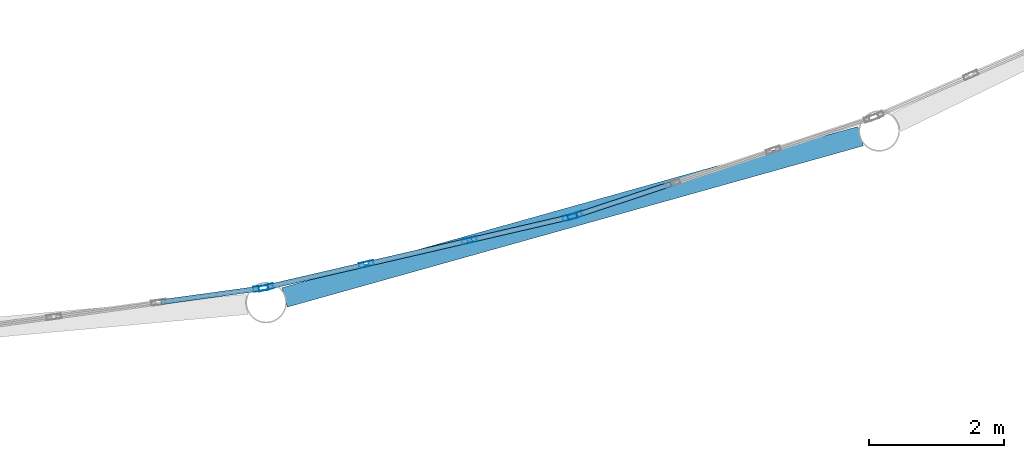
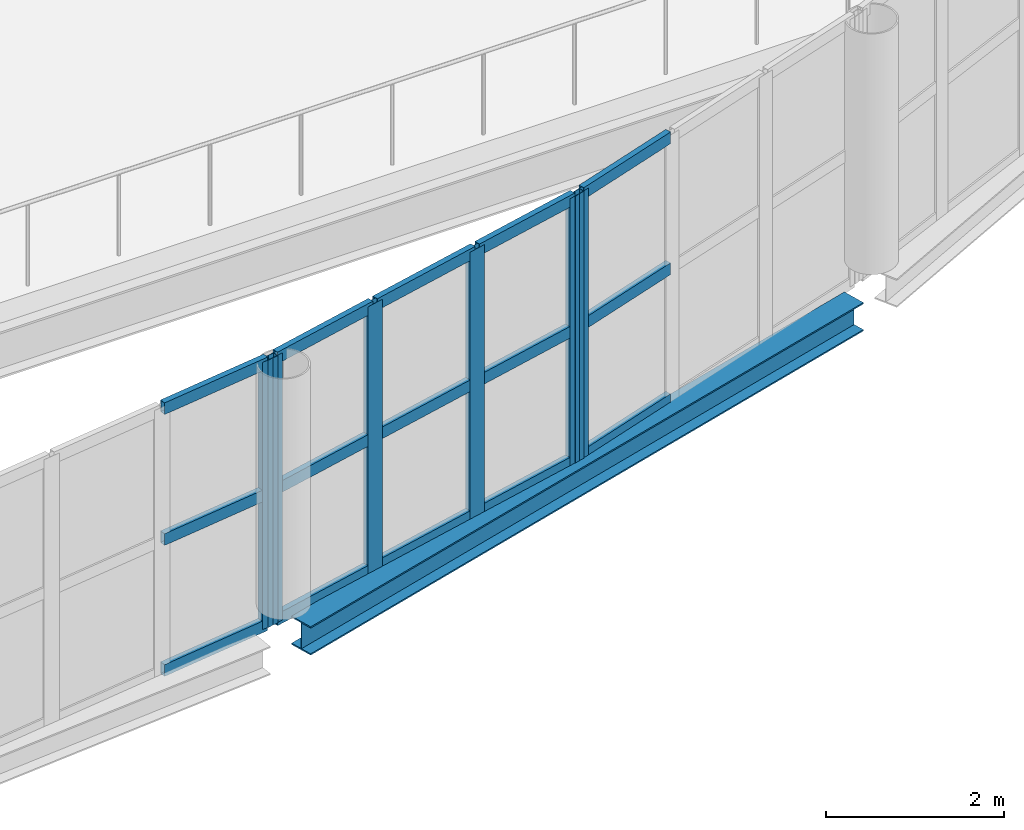
# One storey, part 31 of 134: 21 members, 1 beam, 3 elements without a shape of their own.
"""IFC4 building model written with IfcOpenShell, lengths in metres."""

from ifc_helpers import new_model, si_unit, direction, frame, origin, origin_2d, place, context, subcontext, project, spatial, hollow_rectangle, i_section, extrude, material, layer, layer_set, material_profile, profile_set, type_object, element, aggregate, save


model = new_model("IFC4")

# Units and contexts
model_context = context("Model", 3, precision=1e-05, world=origin(), true_north=direction((0.0, 1.0)))
body_context = subcontext(model_context, "Body", "Model", "MODEL_VIEW")
ifc_project = project(units=[si_unit("LENGTHUNIT", "METRE"), si_unit("AREAUNIT", "SQUARE_METRE"), si_unit("VOLUMEUNIT", "CUBIC_METRE"), si_unit("PLANEANGLEUNIT", "RADIAN"), si_unit("MASSUNIT", "GRAM", prefix="KILO")], contexts=[model_context])

# Site, building, storey
site_placement = place(None, origin())
site = spatial("IfcSite", under=ifc_project, at=site_placement, CompositionType="ELEMENT")
building_placement = place(site_placement, origin())
building = spatial("IfcBuilding", under=site, at=building_placement, Name="Tamarisk Ironworks Central Station", CompositionType="ELEMENT")
storey_placement = place(building_placement, frame((0.0, 0.0, 12.60009765625)))
storey = spatial("IfcBuildingStorey", under=building, at=storey_placement, Name="L02", CompositionType="ELEMENT", Elevation=12.60009765625)

# Beam
ifc_material_1 = material(Name="Structural steel S355J2", Category="steel")
ifc_material_profile_1 = material_profile(ifc_material_1, i_section(OverallWidth=0.300048828125, OverallDepth=0.389892578125, WebThickness=0.010986328125, FlangeThickness=0.01904296875, at=origin_2d()), Name="HEA 400")
ifc_profile_set_1 = profile_set([ifc_material_profile_1], Name="Structural steel S355J2")
beam_type = type_object("IfcBeamType", Name="BM-G07", PredefinedType="BEAM", material=ifc_profile_set_1)
beam_placement = place(storey_placement, frame((90.685302734375, 4.176513671875, -0.5751953125), z_axis=(0.962975154525, 0.269590155174, 0.0), x_axis=(-0.269590155174, 0.962975154525, 0.0)))
element("IfcBeam", 1, at=beam_placement, inside=storey, type_object=beam_type, Name="SN rounded nose L02 chord girder 010", PredefinedType="BEAM", context=body_context, shape_type="SweptSolid", body=[
    extrude(i_section(OverallWidth=0.300048828125, OverallDepth=0.389892578125, WebThickness=0.010986328125, FlangeThickness=0.01904296875, at=origin_2d()), origin(), (0.0, 0.0, 1.0), 8.88037109375),
])

# Curtain wall, member
ifc_material_2 = material(Name="Anodized aluminium alloy 6063-T6", Category="aluminium")
ifc_layer = layer(ifc_material_2, 0.179931640625)
ifc_layer_set = layer_set([ifc_layer], Name="Anodized aluminium alloy 6063-T6")
curtain_wall_type = type_object("IfcCurtainWallType", Name="CW-03", PredefinedType="USERDEFINED", material=ifc_layer_set)
curtain_wall_1_placement = place(storey_placement, origin())
curtain_wall_1 = element("IfcCurtainWall", 2, at=curtain_wall_1_placement, inside=storey, type_object=curtain_wall_type, Name="SN rounded entrance hall L02 curtain wall bay 08", ObjectType="GLAZED CURTAIN WALL", PredefinedType="USERDEFINED")
ifc_material_profile_2 = material_profile(ifc_material_2, hollow_rectangle(XDim=0.074951171875, YDim=0.219970703125, WallThickness=0.00390625, at=origin_2d()), Name="ALUM 220x75")
ifc_profile_set_2 = profile_set([ifc_material_profile_2], Name="Anodized aluminium alloy 6063-T6")
member_type_1 = type_object("IfcMemberType", Name="CWM-01", PredefinedType="MULLION", material=ifc_profile_set_2)
member_1_placement = place(storey_placement, frame((90.33349609375, 4.310791015625, -0.385009765625), z_axis=(0.0, 0.0, 1.0), x_axis=(-0.136041725218, 0.990703108403, 0.0)))
member_1 = element("IfcMember", 3, at=member_1_placement, type_object=member_type_1, Name="CW03 mullion 4", PredefinedType="MULLION", context=body_context, shape_type="SweptSolid", body=[
    extrude(hollow_rectangle(XDim=0.074951171875, YDim=0.219970703125, WallThickness=0.00390625, at=origin_2d()), origin(), (0.0, 0.0, 1.0), 3.664794921875),
])

# Curtain wall, members
curtain_wall_2_placement = place(storey_placement, origin())
curtain_wall_2 = element("IfcCurtainWall", 4, at=curtain_wall_2_placement, inside=storey, type_object=curtain_wall_type, Name="SN rounded entrance hall L02 curtain wall bay 09", ObjectType="GLAZED CURTAIN WALL", PredefinedType="USERDEFINED")
member_2_placement = place(storey_placement, frame((90.4072265625, 4.324462890625, -0.385009765625), z_axis=(0.0, 0.0, 1.0), x_axis=(-0.225516966506, 0.974239240545, 0.0)))
member_2 = element("IfcMember", 5, at=member_2_placement, type_object=member_type_1, Name="CW03 mullion 1", PredefinedType="MULLION", context=body_context, shape_type="SweptSolid", body=[
    extrude(hollow_rectangle(XDim=0.074951171875, YDim=0.219970703125, WallThickness=0.00390625, at=origin_2d()), origin(), (0.0, 0.0, 1.0), 3.664794921875),
])
member_3_placement = place(storey_placement, frame((91.900146484375, 4.669921875, -0.385009765625), z_axis=(0.0, 0.0, 1.0), x_axis=(-0.225516966506, 0.974239240545, 0.0)))
member_3 = element("IfcMember", 6, at=member_3_placement, type_object=member_type_1, Name="CW03 mullion 2", PredefinedType="MULLION", context=body_context, shape_type="SweptSolid", body=[
    extrude(hollow_rectangle(XDim=0.074951171875, YDim=0.219970703125, WallThickness=0.00390625, at=origin_2d()), origin(), (0.0, 0.0, 1.0), 3.664794921875),
])
member_4_placement = place(storey_placement, frame((93.429443359375, 5.02392578125, -0.385009765625), z_axis=(0.0, 0.0, 1.0), x_axis=(-0.225516966506, 0.974239240545, 0.0)))
member_4 = element("IfcMember", 7, at=member_4_placement, type_object=member_type_1, Name="CW03 mullion 3", PredefinedType="MULLION", context=body_context, shape_type="SweptSolid", body=[
    extrude(hollow_rectangle(XDim=0.074951171875, YDim=0.219970703125, WallThickness=0.00390625, at=origin_2d()), origin(), (0.0, 0.0, 1.0), 3.664794921875),
])
member_5_placement = place(storey_placement, frame((94.92236328125, 5.36962890625, -0.385009765625), z_axis=(0.0, 0.0, 1.0), x_axis=(-0.225516966506, 0.974239240545, 0.0)))
member_5 = element("IfcMember", 8, at=member_5_placement, type_object=member_type_1, Name="CW03 mullion 4", PredefinedType="MULLION", context=body_context, shape_type="SweptSolid", body=[
    extrude(hollow_rectangle(XDim=0.074951171875, YDim=0.219970703125, WallThickness=0.00390625, at=origin_2d()), origin(), (0.0, 0.0, 1.0), 3.664794921875),
])

# Curtain wall, member
curtain_wall_3_placement = place(storey_placement, origin())
curtain_wall_3 = element("IfcCurtainWall", 9, at=curtain_wall_3_placement, inside=storey, type_object=curtain_wall_type, Name="SN rounded entrance hall L02 curtain wall bay 10", ObjectType="GLAZED CURTAIN WALL", PredefinedType="USERDEFINED")
member_6_placement = place(storey_placement, frame((94.99462890625, 5.3896484375, -0.385009765625), z_axis=(0.0, 0.0, 1.0), x_axis=(-0.313098460171, 0.949720671692, 0.0)))
member_6 = element("IfcMember", 10, at=member_6_placement, type_object=member_type_1, Name="CW03 mullion 1", PredefinedType="MULLION", context=body_context, shape_type="SweptSolid", body=[
    extrude(hollow_rectangle(XDim=0.074951171875, YDim=0.219970703125, WallThickness=0.00390625, at=origin_2d()), origin(), (0.0, 0.0, 1.0), 3.664794921875),
])

# Member
ifc_material_profile_3 = material_profile(ifc_material_2, hollow_rectangle(XDim=0.074951171875, YDim=0.159912109375, WallThickness=0.00390625, at=origin_2d()), Name="ALUM 160x75")
ifc_profile_set_3 = profile_set([ifc_material_profile_3], Name="Anodized aluminium alloy 6063-T6")
member_type_2 = type_object("IfcMemberType", Name="CWT-01", PredefinedType="USERDEFINED", material=ifc_profile_set_3)
member_7_placement = place(storey_placement, frame((88.8486328125, 4.10693359375, -0.34765625), z_axis=(0.990714220165, 0.135960780971, 0.0), x_axis=(-0.135960780971, 0.990714220165, 0.0)))
member_7 = element("IfcMember", 11, at=member_7_placement, type_object=member_type_2, Name="CW03 transom 3.1", ObjectType="TRANSOM", PredefinedType="USERDEFINED", context=body_context, shape_type="SweptSolid", body=[
    extrude(hollow_rectangle(XDim=0.074951171875, YDim=0.159912109375, WallThickness=0.00390625, at=origin_2d()), origin(), (0.0, 0.0, 1.0), 1.46533203125),
])

member_8_placement = place(storey_placement, frame((88.8486328125, 4.10693359375, 1.447509765625), z_axis=(0.990714220165, 0.135960780971, 0.0), x_axis=(-0.135960780971, 0.990714220165, 0.0)))
member_8 = element("IfcMember", 12, at=member_8_placement, type_object=member_type_2, Name="CW03 transom 3.2", ObjectType="TRANSOM", PredefinedType="USERDEFINED", context=body_context, shape_type="SweptSolid", body=[
    extrude(hollow_rectangle(XDim=0.074951171875, YDim=0.159912109375, WallThickness=0.00390625, at=origin_2d()), origin(), (0.0, 0.0, 1.0), 1.46533203125),
])

member_9_placement = place(storey_placement, frame((88.8486328125, 4.10693359375, 3.242431640625), z_axis=(0.990714220165, 0.135960780971, 0.0), x_axis=(-0.135960780971, 0.990714220165, 0.0)))
member_9 = element("IfcMember", 13, at=member_9_placement, type_object=member_type_2, Name="CW03 transom 3.3", ObjectType="TRANSOM", PredefinedType="USERDEFINED", context=body_context, shape_type="SweptSolid", body=[
    extrude(hollow_rectangle(XDim=0.074951171875, YDim=0.159912109375, WallThickness=0.00390625, at=origin_2d()), origin(), (0.0, 0.0, 1.0), 1.46533203125),
])

aggregate(curtain_wall_1, [member_1, member_7, member_8, member_9])

member_10_placement = place(storey_placement, frame((90.439697265625, 4.33203125, -0.34765625), z_axis=(0.9742646895, 0.225406998101, 0.0), x_axis=(-0.225406998101, 0.9742646895, 0.0)))
member_10 = element("IfcMember", 14, at=member_10_placement, type_object=member_type_2, Name="CW03 transom 1.1", ObjectType="TRANSOM", PredefinedType="USERDEFINED", context=body_context, shape_type="SweptSolid", body=[
    extrude(hollow_rectangle(XDim=0.074951171875, YDim=0.159912109375, WallThickness=0.00390625, at=origin_2d()), origin(), (0.0, 0.0, 1.0), 1.46533203125),
])

member_11_placement = place(storey_placement, frame((90.439697265625, 4.33203125, 1.447509765625), z_axis=(0.9742646895, 0.225406998101, 0.0), x_axis=(-0.225406998101, 0.9742646895, 0.0)))
member_11 = element("IfcMember", 15, at=member_11_placement, type_object=member_type_2, Name="CW03 transom 1.2", ObjectType="TRANSOM", PredefinedType="USERDEFINED", context=body_context, shape_type="SweptSolid", body=[
    extrude(hollow_rectangle(XDim=0.074951171875, YDim=0.159912109375, WallThickness=0.00390625, at=origin_2d()), origin(), (0.0, 0.0, 1.0), 1.46533203125),
])

member_12_placement = place(storey_placement, frame((90.439697265625, 4.33203125, 3.242431640625), z_axis=(0.9742646895, 0.225406998101, 0.0), x_axis=(-0.225406998101, 0.9742646895, 0.0)))
member_12 = element("IfcMember", 16, at=member_12_placement, type_object=member_type_2, Name="CW03 transom 1.3", ObjectType="TRANSOM", PredefinedType="USERDEFINED", context=body_context, shape_type="SweptSolid", body=[
    extrude(hollow_rectangle(XDim=0.074951171875, YDim=0.159912109375, WallThickness=0.00390625, at=origin_2d()), origin(), (0.0, 0.0, 1.0), 1.46533203125),
])

member_13_placement = place(storey_placement, frame((91.9326171875, 4.677490234375, -0.34765625), z_axis=(0.974245878003, 0.22548829059, 0.0), x_axis=(-0.22548829059, 0.974245878003, 0.0)))
member_13 = element("IfcMember", 17, at=member_13_placement, type_object=member_type_2, Name="CW03 transom 2.1", ObjectType="TRANSOM", PredefinedType="USERDEFINED", context=body_context, shape_type="SweptSolid", body=[
    extrude(hollow_rectangle(XDim=0.074951171875, YDim=0.159912109375, WallThickness=0.00390625, at=origin_2d()), origin(), (0.0, 0.0, 1.0), 1.5029296875),
])

member_14_placement = place(storey_placement, frame((91.9326171875, 4.677490234375, 1.447509765625), z_axis=(0.974245878003, 0.22548829059, 0.0), x_axis=(-0.22548829059, 0.974245878003, 0.0)))
member_14 = element("IfcMember", 18, at=member_14_placement, type_object=member_type_2, Name="CW03 transom 2.2", ObjectType="TRANSOM", PredefinedType="USERDEFINED", context=body_context, shape_type="SweptSolid", body=[
    extrude(hollow_rectangle(XDim=0.074951171875, YDim=0.159912109375, WallThickness=0.00390625, at=origin_2d()), origin(), (0.0, 0.0, 1.0), 1.5029296875),
])

member_15_placement = place(storey_placement, frame((91.9326171875, 4.677490234375, 3.242431640625), z_axis=(0.974245878003, 0.22548829059, 0.0), x_axis=(-0.22548829059, 0.974245878003, 0.0)))
member_15 = element("IfcMember", 19, at=member_15_placement, type_object=member_type_2, Name="CW03 transom 2.3", ObjectType="TRANSOM", PredefinedType="USERDEFINED", context=body_context, shape_type="SweptSolid", body=[
    extrude(hollow_rectangle(XDim=0.074951171875, YDim=0.159912109375, WallThickness=0.00390625, at=origin_2d()), origin(), (0.0, 0.0, 1.0), 1.5029296875),
])

member_16_placement = place(storey_placement, frame((93.462158203125, 5.031494140625, -0.34765625), z_axis=(0.974219613939, 0.225601737177, 0.0), x_axis=(-0.225601737177, 0.974219613939, 0.0)))
member_16 = element("IfcMember", 20, at=member_16_placement, type_object=member_type_2, Name="CW03 transom 3.1", ObjectType="TRANSOM", PredefinedType="USERDEFINED", context=body_context, shape_type="SweptSolid", body=[
    extrude(hollow_rectangle(XDim=0.074951171875, YDim=0.159912109375, WallThickness=0.00390625, at=origin_2d()), origin(), (0.0, 0.0, 1.0), 1.46533203125),
])

member_17_placement = place(storey_placement, frame((93.462158203125, 5.031494140625, 1.447509765625), z_axis=(0.974219613939, 0.225601737177, 0.0), x_axis=(-0.225601737177, 0.974219613939, 0.0)))
member_17 = element("IfcMember", 21, at=member_17_placement, type_object=member_type_2, Name="CW03 transom 3.2", ObjectType="TRANSOM", PredefinedType="USERDEFINED", context=body_context, shape_type="SweptSolid", body=[
    extrude(hollow_rectangle(XDim=0.074951171875, YDim=0.159912109375, WallThickness=0.00390625, at=origin_2d()), origin(), (0.0, 0.0, 1.0), 1.46533203125),
])

member_18_placement = place(storey_placement, frame((93.462158203125, 5.031494140625, 3.242431640625), z_axis=(0.974219613939, 0.225601737177, 0.0), x_axis=(-0.225601737177, 0.974219613939, 0.0)))
member_18 = element("IfcMember", 22, at=member_18_placement, type_object=member_type_2, Name="CW03 transom 3.3", ObjectType="TRANSOM", PredefinedType="USERDEFINED", context=body_context, shape_type="SweptSolid", body=[
    extrude(hollow_rectangle(XDim=0.074951171875, YDim=0.159912109375, WallThickness=0.00390625, at=origin_2d()), origin(), (0.0, 0.0, 1.0), 1.46533203125),
])

aggregate(curtain_wall_2, [member_2, member_3, member_4, member_5, member_10, member_11, member_12, member_13, member_14, member_15, member_16, member_17, member_18])

member_19_placement = place(storey_placement, frame((95.0263671875, 5.400146484375, -0.34765625), z_axis=(0.949678219118, 0.313227202095, 0.0), x_axis=(-0.313227202095, 0.949678219118, 0.0)))
member_19 = element("IfcMember", 23, at=member_19_placement, type_object=member_type_2, Name="CW03 transom 1.1", ObjectType="TRANSOM", PredefinedType="USERDEFINED", context=body_context, shape_type="SweptSolid", body=[
    extrude(hollow_rectangle(XDim=0.074951171875, YDim=0.159912109375, WallThickness=0.00390625, at=origin_2d()), origin(), (0.0, 0.0, 1.0), 1.46533203125),
])

member_20_placement = place(storey_placement, frame((95.0263671875, 5.400146484375, 1.447509765625), z_axis=(0.949678219118, 0.313227202095, 0.0), x_axis=(-0.313227202095, 0.949678219118, 0.0)))
member_20 = element("IfcMember", 24, at=member_20_placement, type_object=member_type_2, Name="CW03 transom 1.2", ObjectType="TRANSOM", PredefinedType="USERDEFINED", context=body_context, shape_type="SweptSolid", body=[
    extrude(hollow_rectangle(XDim=0.074951171875, YDim=0.159912109375, WallThickness=0.00390625, at=origin_2d()), origin(), (0.0, 0.0, 1.0), 1.46533203125),
])

member_21_placement = place(storey_placement, frame((95.0263671875, 5.400146484375, 3.242431640625), z_axis=(0.949678219118, 0.313227202095, 0.0), x_axis=(-0.313227202095, 0.949678219118, 0.0)))
member_21 = element("IfcMember", 25, at=member_21_placement, type_object=member_type_2, Name="CW03 transom 1.3", ObjectType="TRANSOM", PredefinedType="USERDEFINED", context=body_context, shape_type="SweptSolid", body=[
    extrude(hollow_rectangle(XDim=0.074951171875, YDim=0.159912109375, WallThickness=0.00390625, at=origin_2d()), origin(), (0.0, 0.0, 1.0), 1.46533203125),
])

aggregate(curtain_wall_3, [member_6, member_19, member_20, member_21])

save(model, "model.ifc")
